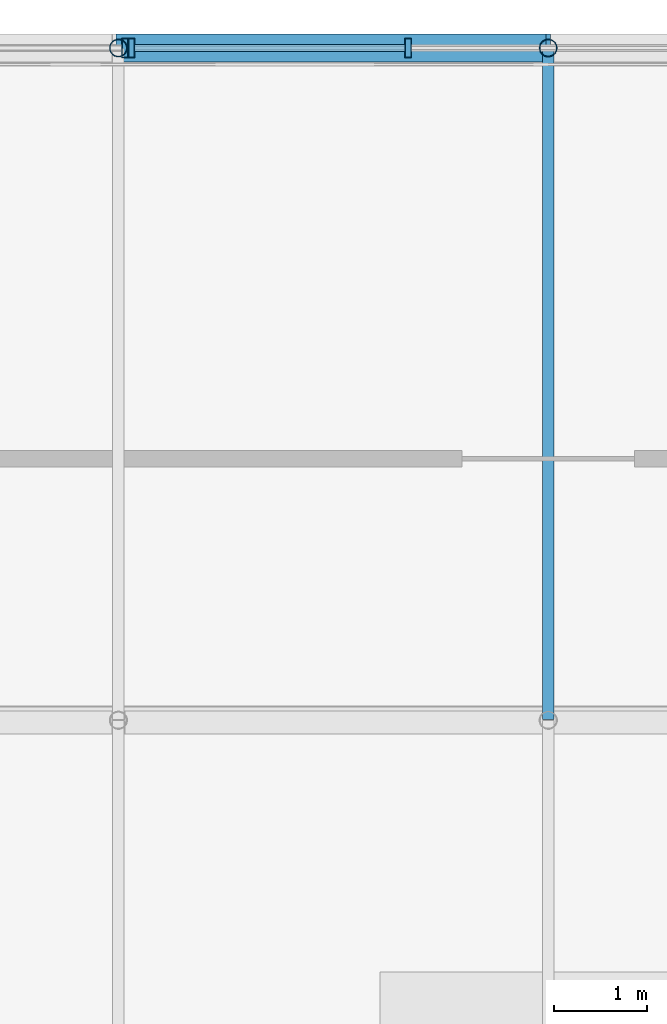
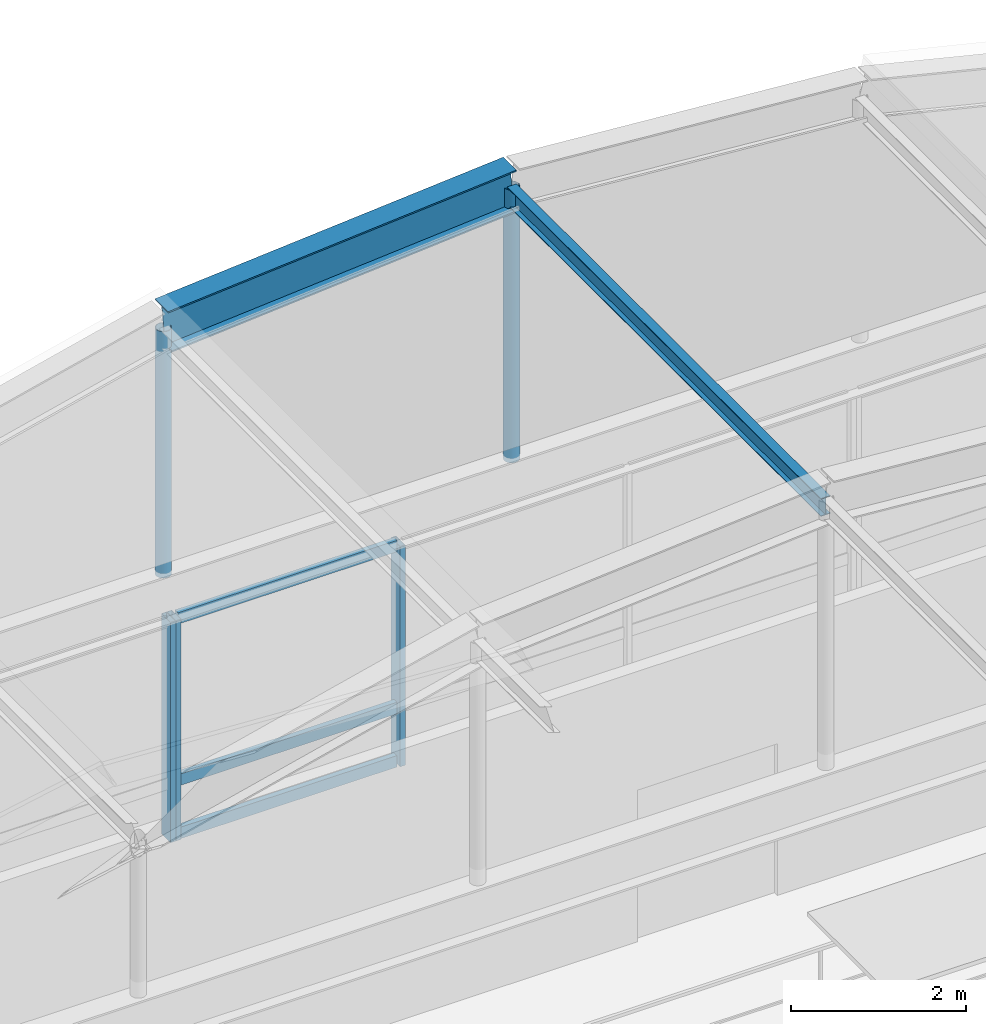
# One storey, part 64 of 106: 10 members, 2 elements without a shape of their own.
"""IFC4 building model written with IfcOpenShell, lengths in metres."""

from ifc_helpers import new_model, si_unit, direction, frame, origin, origin_2d, place, context, subcontext, project, spatial, hollow_rectangle, hollow_circle, i_section, extrude, material, material_profile, profile_set, type_object, element, aggregate, save


model = new_model("IFC4")

# Units and contexts
model_context = context("Model", 3, precision=1e-05, world=origin(), true_north=direction((0.0, 1.0)))
body_context = subcontext(model_context, "Body", "Model", "MODEL_VIEW")
ifc_project = project(units=[si_unit("LENGTHUNIT", "METRE"), si_unit("AREAUNIT", "SQUARE_METRE"), si_unit("VOLUMEUNIT", "CUBIC_METRE"), si_unit("PLANEANGLEUNIT", "RADIAN"), si_unit("MASSUNIT", "GRAM", prefix="KILO")], contexts=[model_context])

# Site, building, storey
site_placement = place(None, origin())
site = spatial("IfcSite", under=ifc_project, at=site_placement, CompositionType="ELEMENT")
building_placement = place(site_placement, origin())
building = spatial("IfcBuilding", under=site, at=building_placement, Name="Kazanami Central Library", CompositionType="ELEMENT")
storey_placement = place(building_placement, frame((0.0, 0.0, 12.800048828125)))
storey = spatial("IfcBuildingStorey", under=building, at=storey_placement, Name="L04", CompositionType="ELEMENT", Elevation=12.800048828125)

# Member
ifc_material_1 = material(Name="Steel SN490B (325 MPa)", Category="steel")
ifc_material_profile_1 = material_profile(ifc_material_1, i_section(OverallWidth=0.300048828125, OverallDepth=0.587890625, WebThickness=0.011962890625, FlangeThickness=0.02001953125, at=origin_2d()), Name="H-588x300x12x20")
ifc_profile_set_1 = profile_set([ifc_material_profile_1], Name="Steel SN490B (325 MPa)")
member_type_1 = type_object("IfcMemberType", Name="MEM-AR-01", PredefinedType="CHORD", material=ifc_profile_set_1)
member_1_placement = place(storey_placement, frame((71.895751953125, 93.60009765625, 7.181640625), z_axis=(0.99683088961, 0.0, 0.079549842985), x_axis=(0.0, 1.0, 0.0)))
element("IfcMember", 1, at=member_1_placement, inside=storey, type_object=member_type_1, Name="Barrel Vault Arch Rib AR-01 VAULT-MAIN Grid O Seg 3", PredefinedType="CHORD", context=body_context, shape_type="SweptSolid", body=[
    extrude(i_section(OverallWidth=0.300048828125, OverallDepth=0.587890625, WebThickness=0.011962890625, FlangeThickness=0.02001953125, at=origin_2d()), origin(), (0.0, 0.0, 1.0), 4.618896484375),
])

# Curtain wall, member
ifc_material_2 = material(Name="Acid-Etched Low-E Laminated Glass", Category="glass")
curtain_wall_type_1 = type_object("IfcCurtainWallType", Name="CW-8800x3080-M275", PredefinedType="USERDEFINED", material=ifc_material_2)
curtain_wall_1_placement = place(storey_placement, origin())
curtain_wall_1 = element("IfcCurtainWall", 2, at=curtain_wall_1_placement, inside=storey, type_object=curtain_wall_type_1, Name="Unitised Curtain Wall CW-42 L04 N-O-07", ObjectType="UNITISED CURTAIN WALL", PredefinedType="USERDEFINED")
ifc_material_3 = material(Name="Anodised Aluminium A6063-T5", Category="aluminium")
ifc_material_profile_2 = material_profile(ifc_material_3, hollow_rectangle(XDim=0.070068359375, YDim=0.2099609375, WallThickness=0.0048828125, at=origin_2d()), Name="ALU-MULL-70x210x5")
ifc_profile_set_2 = profile_set([ifc_material_profile_2], Name="Anodised Aluminium A6063-T5")
member_type_2 = type_object("IfcMemberType", Name="MEM-CW-M1", PredefinedType="MULLION", material=ifc_profile_set_2)
member_2_placement = place(storey_placement, frame((71.965087890625, 93.60009765625, 0.0), z_axis=(0.0, 0.0, 1.0), x_axis=(-1.0, 0.0, 0.0)))
member_2 = element("IfcMember", 3, at=member_2_placement, type_object=member_type_2, Name="CW-42 mullion 1", PredefinedType="MULLION", context=body_context, shape_type="SweptSolid", body=[
    extrude(hollow_rectangle(XDim=0.070068359375, YDim=0.2099609375, WallThickness=0.0048828125, at=origin_2d()), origin(), (0.0, 0.0, 1.0), 3.079833984375),
])
aggregate(curtain_wall_1, [member_2])

# Curtain wall, members
curtain_wall_type_2 = type_object("IfcCurtainWallType", Name="CW-9000x3080-M275", PredefinedType="USERDEFINED", material=ifc_material_2)
curtain_wall_2_placement = place(storey_placement, origin())
curtain_wall_2 = element("IfcCurtainWall", 4, at=curtain_wall_2_placement, inside=storey, type_object=curtain_wall_type_2, Name="Unitised Curtain Wall CW-41 L04 N-O-08", ObjectType="UNITISED CURTAIN WALL", PredefinedType="USERDEFINED")
member_3_placement = place(storey_placement, frame((75.0, 93.60009765625, 0.0), z_axis=(0.0, 0.0, 1.0), x_axis=(-1.0, 0.0, 0.0)))
member_3 = element("IfcMember", 5, at=member_3_placement, type_object=member_type_2, Name="CW-41 mullion 3", PredefinedType="MULLION", context=body_context, shape_type="SweptSolid", body=[
    extrude(hollow_rectangle(XDim=0.070068359375, YDim=0.2099609375, WallThickness=0.0048828125, at=origin_2d()), origin(), (0.0, 0.0, 1.0), 3.079833984375),
])
member_4_placement = place(storey_placement, frame((72.034912109375, 93.60009765625, 0.0), z_axis=(0.0, 0.0, 1.0), x_axis=(-1.0, 0.0, 0.0)))
member_4 = element("IfcMember", 6, at=member_4_placement, type_object=member_type_2, Name="CW-41 mullion 4", PredefinedType="MULLION", context=body_context, shape_type="SweptSolid", body=[
    extrude(hollow_rectangle(XDim=0.070068359375, YDim=0.2099609375, WallThickness=0.0048828125, at=origin_2d()), origin(), (0.0, 0.0, 1.0), 3.079833984375),
])
ifc_material_profile_3 = material_profile(ifc_material_3, hollow_rectangle(XDim=0.070068359375, YDim=0.159912109375, WallThickness=0.00390625, at=origin_2d()), Name="ALU-TRAN-70x160x4")
ifc_profile_set_3 = profile_set([ifc_material_profile_3], Name="Anodised Aluminium A6063-T5")
member_type_3 = type_object("IfcMemberType", Name="MEM-CW-T1", PredefinedType="USERDEFINED", material=ifc_profile_set_3)
member_5_placement = place(storey_placement, frame((74.965087890625, 93.60009765625, 0.034912109375), z_axis=(-1.0, 0.0, 0.0), x_axis=(0.0, -1.0, 0.0)))
member_5 = element("IfcMember", 7, at=member_5_placement, type_object=member_type_3, Name="CW-41 transom 3.1", ObjectType="TRANSOM", PredefinedType="USERDEFINED", context=body_context, shape_type="SweptSolid", body=[
    extrude(hollow_rectangle(XDim=0.070068359375, YDim=0.159912109375, WallThickness=0.00390625, at=origin_2d()), origin(), (0.0, 0.0, 1.0), 2.89501953125),
])
member_6_placement = place(storey_placement, frame((74.965087890625, 93.60009765625, 0.780029296875), z_axis=(-1.0, 0.0, 0.0), x_axis=(0.0, -1.0, 0.0)))
member_6 = element("IfcMember", 8, at=member_6_placement, type_object=member_type_3, Name="CW-41 transom 3.2", ObjectType="TRANSOM", PredefinedType="USERDEFINED", context=body_context, shape_type="SweptSolid", body=[
    extrude(hollow_rectangle(XDim=0.070068359375, YDim=0.159912109375, WallThickness=0.00390625, at=origin_2d()), origin(), (0.0, 0.0, 1.0), 2.89501953125),
])
member_7_placement = place(storey_placement, frame((74.965087890625, 93.60009765625, 3.044921875), z_axis=(-1.0, 0.0, 0.0), x_axis=(0.0, -1.0, 0.0)))
member_7 = element("IfcMember", 9, at=member_7_placement, type_object=member_type_3, Name="CW-41 transom 3.3", ObjectType="TRANSOM", PredefinedType="USERDEFINED", context=body_context, shape_type="SweptSolid", body=[
    extrude(hollow_rectangle(XDim=0.070068359375, YDim=0.159912109375, WallThickness=0.00390625, at=origin_2d()), origin(), (0.0, 0.0, 1.0), 2.89501953125),
])
aggregate(curtain_wall_2, [member_3, member_4, member_5, member_6, member_7])

# Members
ifc_material_4 = material(Name="Steel SN400B (235 MPa)", Category="steel")
ifc_material_profile_4 = material_profile(ifc_material_4, i_section(OverallWidth=0.125, OverallDepth=0.25, WebThickness=0.006103515625, FlangeThickness=0.009033203125, at=origin_2d()), Name="H-250x125x6x9")
ifc_profile_set_4 = profile_set([ifc_material_profile_4], Name="Steel SN400B (235 MPa)")
member_type_4 = type_object("IfcMemberType", Name="MEM-PUR-250", PredefinedType="PURLIN", material=ifc_profile_set_4)
member_8_placement = place(storey_placement, frame((76.5, 86.405029296875, 7.408935546875), z_axis=(0.0, 1.0, 0.0), x_axis=(-1.0, 0.0, 0.0)))
element("IfcMember", 10, at=member_8_placement, inside=storey, type_object=member_type_4, Name="Barrel Vault Longitudinal Purlin VAULT-MAIN Knuckle 3.4", PredefinedType="PURLIN", context=body_context, shape_type="SweptSolid", body=[
    extrude(i_section(OverallWidth=0.125, OverallDepth=0.25, WebThickness=0.006103515625, FlangeThickness=0.009033203125, at=origin_2d()), origin(), (0.0, 0.0, 1.0), 7.18994140625),
])
ifc_material_5 = material(Name="Steel STK490 (315 MPa)", Category="steel")
ifc_material_profile_5 = material_profile(ifc_material_5, hollow_circle(Radius=0.095458984375, WallThickness=0.007080078125, at=origin_2d()), Name="CHS-190.7x7.0")
ifc_profile_set_5 = profile_set([ifc_material_profile_5], Name="Steel STK490 (315 MPa)")
member_type_5 = type_object("IfcMemberType", Name="MEM-VST-190", PredefinedType="STRUT", material=ifc_profile_set_5)
member_9_placement = place(storey_placement, frame((71.895751953125, 93.60009765625, 3.71484375), z_axis=(0.0, 0.0, 1.0), x_axis=(1.0, 0.0, 0.0)))
element("IfcMember", 11, at=member_9_placement, inside=storey, type_object=member_type_5, Name="Barrel Vault Tied-Arch Web Strut VAULT-MAIN Grid O Knuckle 2", PredefinedType="STRUT", context=body_context, shape_type="SweptSolid", body=[
    extrude(hollow_circle(Radius=0.095458984375, WallThickness=0.007080078125, at=origin_2d()), origin(), (0.0, 0.0, 1.0), 3.44677734375),
])
member_10_placement = place(storey_placement, frame((76.5, 93.60009765625, 3.71484375), z_axis=(0.0, 0.0, 1.0), x_axis=(1.0, 0.0, 0.0)))
element("IfcMember", 12, at=member_10_placement, inside=storey, type_object=member_type_5, Name="Barrel Vault Tied-Arch Web Strut VAULT-MAIN Grid O Knuckle 3", PredefinedType="STRUT", context=body_context, shape_type="SweptSolid", body=[
    extrude(hollow_circle(Radius=0.095458984375, WallThickness=0.007080078125, at=origin_2d()), origin(), (0.0, 0.0, 1.0), 3.814208984375),
])

save(model, "model.ifc")
